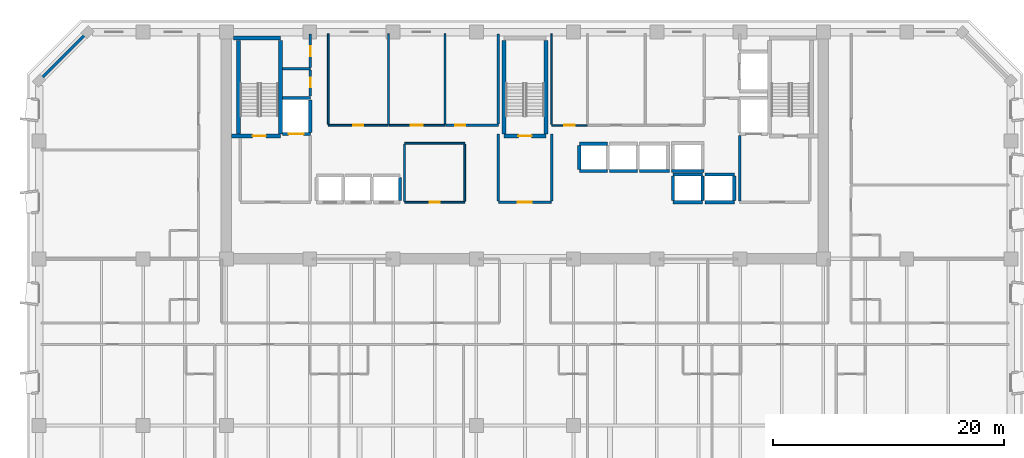
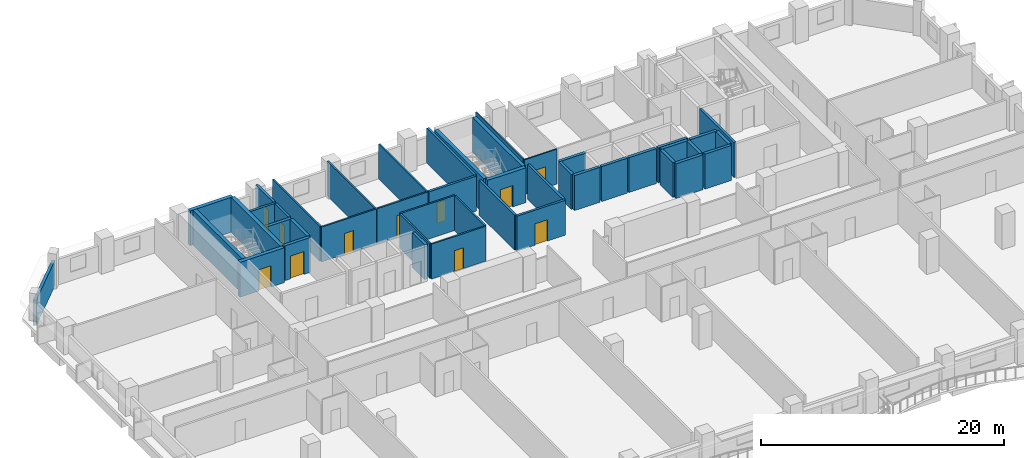
# One storey, part 7 of 15: 45 walls, 11 doors, 11 openings.
"""IFC4 building model written with IfcOpenShell, lengths in metres."""

from ifc_helpers import new_model, si_unit, direction, frame, frame_2d, origin, place, context, subcontext, project, spatial, rectangle, extrude, material, layer, layer_set, type_object, element, fill, save


model = new_model("IFC4")

# Units and contexts
model_context = context("Model", 3, precision=1e-05, world=origin(), true_north=direction((0.0, 1.0)))
body_context = subcontext(model_context, "Body", "Model", "MODEL_VIEW")
ifc_project = project(units=[si_unit("LENGTHUNIT", "METRE"), si_unit("AREAUNIT", "SQUARE_METRE"), si_unit("VOLUMEUNIT", "CUBIC_METRE"), si_unit("PLANEANGLEUNIT", "RADIAN"), si_unit("MASSUNIT", "GRAM", prefix="KILO")], contexts=[model_context])

# Site, building, storey
site_placement = place(None, origin())
site = spatial("IfcSite", under=ifc_project, at=site_placement, CompositionType="ELEMENT")
building_placement = place(site_placement, origin())
building = spatial("IfcBuilding", under=site, at=building_placement, Name="Kaelvorn Grand Hotel", CompositionType="ELEMENT")
storey_placement = place(building_placement, frame((0.0, 0.0, 104.300048828125)))
storey = spatial("IfcBuildingStorey", under=building, at=storey_placement, Name="L24", CompositionType="ELEMENT", Elevation=104.300048828125)

# Wall
ifc_material_1 = material(Name="Concrete C40/50", Category="concrete")
ifc_layer_1 = layer(ifc_material_1, 0.260009765625)
ifc_layer_set_1 = layer_set([ifc_layer_1], Name="Concrete C40/50")
wall_type_1 = type_object("IfcWallType", Name="WL-EXT-260-C40", PredefinedType="SOLIDWALL", material=ifc_layer_set_1)
wall_1_placement = place(storey_placement, frame((4.199951171875, 49.0, 0.0), z_axis=(0.0, 0.0, 1.0), x_axis=(-0.707106781187, -0.707106781187, 0.0)))
element("IfcWall", 1, at=wall_1_placement, inside=storey, type_object=wall_type_1, Name="L24 Exterior Architectural Concrete Wall 06", PredefinedType="SOLIDWALL", context=body_context, shape_type="SweptSolid", body=[
    extrude(rectangle(XDim=5.939697265625, YDim=0.260009765625, at=frame_2d((2.9697265625, 0.0))), origin(), (0.0, 0.0, 1.0), 2.56005859375),
])

# Wall, opening, door
ifc_material_2 = material(Name="Moisture-Resistant Tile & Stud Board")
ifc_layer_2 = layer(ifc_material_2, 0.125)
ifc_layer_set_2 = layer_set([ifc_layer_2], Name="Moisture-Resistant Tile & Stud Board")
wall_type_2 = type_object("IfcWallType", Name="WL-PART-125-WET", PredefinedType="PARTITIONING", material=ifc_layer_set_2)
wall_2_placement = place(storey_placement, frame((44.300048828125, 40.949951171875, 0.0), z_axis=(0.0, 0.0, 1.0), x_axis=(1.0, 0.0, 0.0)))
wall_2 = element("IfcWall", 2, at=wall_2_placement, inside=storey, type_object=wall_type_2, Name="L24 Accessible WC S Partition", PredefinedType="PARTITIONING", context=body_context, shape_type="SweptSolid", body=[
    extrude(rectangle(XDim=3.099853515625, YDim=0.125, at=frame_2d((1.5498046875, 0.0))), origin(), (0.0, 0.0, 1.0), 3.510009765625),
])
opening_1_placement = place(wall_2_placement, frame((1.10009765625, 0.0, 0.0)))
opening_1 = element("IfcOpeningElement", 3, at=opening_1_placement, cuts=wall_2, Name="Opening DI4", PredefinedType="OPENING", context=body_context, shape_type="SweptSolid", body=[
    extrude(rectangle(XDim=0.89990234375, YDim=2.10009765625, at=frame_2d((0.449951171875, 1.050048828125))), frame((0.0, 0.072509765625, 0.0), z_axis=(0.0, -1.0, 0.0), x_axis=(1.0, 0.0, 0.0)), (0.0, 0.0, 1.0), 0.14501953125),
])
ifc_material_3 = material(Name="Timber Veneer Leaf", Category="wood")
door_type_1 = type_object("IfcDoorType", Name="DR-INT-BATH-900x2100", OperationType="NOTDEFINED", PredefinedType="DOOR", material=ifc_material_3)
door_1_placement = place(opening_1_placement, origin())
door_1 = element("IfcDoor", 4, at=door_1_placement, inside=storey, type_object=door_type_1, Name="L24 Accessible WC Door", OperationType="SINGLE_SWING_LEFT", OverallHeight=2.10009765625, OverallWidth=0.89990234375, PredefinedType="DOOR", context=body_context, shape_type="SweptSolid", body=[
    extrude(rectangle(XDim=0.89990234375, YDim=2.10009765625, at=frame_2d((0.449951171875, 1.050048828125))), frame((0.0, 0.02490234375, 0.0), z_axis=(0.0, -1.0, 0.0), x_axis=(1.0, 0.0, 0.0)), (0.0, 0.0, 1.0), 0.050048828125),
])
fill(opening_1, door_1)

# Wall
wall_3_placement = place(storey_placement, frame((44.300048828125, 41.017578125, 0.0), z_axis=(0.0, 0.0, 1.0), x_axis=(0.0, 1.0, 0.0)))
element("IfcWall", 5, at=wall_3_placement, inside=storey, type_object=wall_type_2, Name="L24 Accessible WC W Partition", PredefinedType="PARTITIONING", context=body_context, shape_type="SweptSolid", body=[
    extrude(rectangle(XDim=7.83251953125, YDim=0.125, at=frame_2d((3.916259765625, 0.0))), origin(), (0.0, 0.0, 1.0), 3.510009765625),
])

# Wall, opening, door
ifc_material_4 = material(Name="Acoustic Gypsum & Stud Partition")
ifc_layer_3 = layer(ifc_material_4, 0.14990234375)
ifc_layer_set_3 = layer_set([ifc_layer_3], Name="Acoustic Gypsum & Stud Partition")
wall_type_3 = type_object("IfcWallType", Name="WL-PART-150-EI60", PredefinedType="PARTITIONING", material=ifc_layer_set_3)
wall_4_placement = place(storey_placement, frame((31.60009765625, 34.300048828125, 0.0), z_axis=(0.0, 0.0, 1.0), x_axis=(1.0, 0.0, 0.0)))
wall_4 = element("IfcWall", 6, at=wall_4_placement, inside=storey, type_object=wall_type_3, Name="L24 Core Telecoms & BMS Server Room S Partition", PredefinedType="PARTITIONING", context=body_context, shape_type="SweptSolid", body=[
    extrude(rectangle(XDim=5.199951171875, YDim=0.14990234375, at=frame_2d((2.60009765625, 0.0))), origin(), (0.0, 0.0, 1.0), 3.510009765625),
])
opening_2_placement = place(wall_4_placement, frame((2.175048828125, 0.0, 0.0)))
opening_2 = element("IfcOpeningElement", 7, at=opening_2_placement, cuts=wall_4, Name="Opening DI7", PredefinedType="OPENING", context=body_context, shape_type="SweptSolid", body=[
    extrude(rectangle(XDim=0.85009765625, YDim=2.10009765625, at=frame_2d((0.425048828125, 1.050048828125))), frame((0.0, 0.0849609375, 0.0), z_axis=(0.0, -1.0, 0.0), x_axis=(1.0, 0.0, 0.0)), (0.0, 0.0, 1.0), 0.169921875),
])
ifc_material_5 = material(Name="Powder-Coated Steel Leaf", Category="steel")
door_type_2 = type_object("IfcDoorType", Name="DR-INT-RISER-850x2100", OperationType="NOTDEFINED", PredefinedType="DOOR", material=ifc_material_5)
door_2_placement = place(opening_2_placement, origin())
door_2 = element("IfcDoor", 8, at=door_2_placement, inside=storey, type_object=door_type_2, Name="L24 Core Telecoms & BMS Server Room Door", OperationType="SINGLE_SWING_LEFT", OverallHeight=2.10009765625, OverallWidth=0.85009765625, PredefinedType="DOOR", context=body_context, shape_type="SweptSolid", body=[
    extrude(rectangle(XDim=0.85009765625, YDim=2.10009765625, at=frame_2d((0.425048828125, 1.050048828125))), frame((0.0, 0.02490234375, 0.0), z_axis=(0.0, -1.0, 0.0), x_axis=(1.0, 0.0, 0.0)), (0.0, 0.0, 1.0), 0.050048828125),
])
fill(opening_2, door_2)

# Walls
wall_5_placement = place(storey_placement, frame((31.60009765625, 39.39990234375, 0.0), z_axis=(0.0, 0.0, 1.0), x_axis=(1.0, 0.0, 0.0)))
element("IfcWall", 9, at=wall_5_placement, inside=storey, type_object=wall_type_3, Name="L24 Core Telecoms & BMS Server Room N Partition", PredefinedType="PARTITIONING", context=body_context, shape_type="SweptSolid", body=[
    extrude(rectangle(XDim=5.199951171875, YDim=0.14990234375, at=frame_2d((2.60009765625, 0.0))), origin(), (0.0, 0.0, 1.0), 3.510009765625),
])
for number, where, z_axis, x_axis, name in (
    (10, (31.60009765625, 34.3798828125, 0.0), (0.0, 0.0, 1.0), (0.0, 1.0, 0.0), "L24 Core Telecoms & BMS Server Room W Partition"),
    (11, (36.800048828125, 34.3798828125, 0.0), (0.0, 0.0, 1.0), (0.0, 1.0, 0.0), "L24 Core Telecoms & BMS Server Room E Partition"),
):
    element("IfcWall", number, at=place(storey_placement, frame(where, z_axis=z_axis, x_axis=x_axis)), inside=storey, type_object=wall_type_3, Name=name, PredefinedType="PARTITIONING", context=body_context, shape_type="SweptSolid", body=[
        extrude(rectangle(XDim=4.940185546875, YDim=0.14990234375, at=frame_2d((2.47021484375, 0.0))), origin(), (0.0, 0.0, 1.0), 3.510009765625),
    ])

# Wall, opening, door
wall_6_placement = place(storey_placement, frame((25.0, 40.949951171875, 0.0), z_axis=(0.0, 0.0, 1.0), x_axis=(1.0, 0.0, 0.0)))
wall_6 = element("IfcWall", 12, at=wall_6_placement, inside=storey, type_object=wall_type_3, Name="L24 Housekeeping & Linen Room S Partition", PredefinedType="PARTITIONING", context=body_context, shape_type="SweptSolid", body=[
    extrude(rectangle(XDim=5.199951171875, YDim=0.14990234375, at=frame_2d((2.60009765625, 0.0))), origin(), (0.0, 0.0, 1.0), 3.510009765625),
])
opening_3_placement = place(wall_6_placement, frame((2.175048828125, 0.0, 0.0)))
opening_3 = element("IfcOpeningElement", 13, at=opening_3_placement, cuts=wall_6, Name="Opening DI7", PredefinedType="OPENING", context=body_context, shape_type="SweptSolid", body=[
    extrude(rectangle(XDim=0.85009765625, YDim=2.10009765625, at=frame_2d((0.425048828125, 1.050048828125))), frame((0.0, 0.0849609375, 0.0), z_axis=(0.0, -1.0, 0.0), x_axis=(1.0, 0.0, 0.0)), (0.0, 0.0, 1.0), 0.169921875),
])
door_3_placement = place(opening_3_placement, origin())
door_3 = element("IfcDoor", 14, at=door_3_placement, inside=storey, type_object=door_type_2, Name="L24 Housekeeping & Linen Room Door", OperationType="SINGLE_SWING_RIGHT", OverallHeight=2.10009765625, OverallWidth=0.85009765625, PredefinedType="DOOR", context=body_context, shape_type="SweptSolid", body=[
    extrude(rectangle(XDim=0.85009765625, YDim=2.10009765625, at=frame_2d((0.425048828125, 1.050048828125))), frame((0.0, 0.02490234375, 0.0), z_axis=(0.0, -1.0, 0.0), x_axis=(1.0, 0.0, 0.0)), (0.0, 0.0, 1.0), 0.050048828125),
])
fill(opening_3, door_3)

# Walls
for number, where, z_axis, x_axis, name in (
    (15, (25.0, 41.030029296875, 0.0), (0.0, 0.0, 1.0), (0.0, 1.0, 0.0), "L24 Housekeeping & Linen Room W Partition"),
    (16, (30.199951171875, 41.030029296875, 0.0), (0.0, 0.0, 1.0), (0.0, 1.0, 0.0), "L24 Housekeeping & Linen Room E Partition"),
):
    element("IfcWall", number, at=place(storey_placement, frame(where, z_axis=z_axis, x_axis=x_axis)), inside=storey, type_object=wall_type_3, Name=name, PredefinedType="PARTITIONING", context=body_context, shape_type="SweptSolid", body=[
        extrude(rectangle(XDim=7.820068359375, YDim=0.14990234375, at=frame_2d((3.91015625, 0.0))), origin(), (0.0, 0.0, 1.0), 3.510009765625),
    ])

# Wall, opening, door
wall_7_placement = place(storey_placement, frame((30.280029296875, 40.949951171875, 0.0), z_axis=(0.0, 0.0, 1.0), x_axis=(1.0, 0.0, 0.0)))
wall_7 = element("IfcWall", 17, at=wall_7_placement, inside=storey, type_object=wall_type_3, Name="L24 Room Service Servery Pantry S Partition", PredefinedType="PARTITIONING", context=body_context, shape_type="SweptSolid", body=[
    extrude(rectangle(XDim=4.820068359375, YDim=0.14990234375, at=frame_2d((2.41015625, 0.0))), origin(), (0.0, 0.0, 1.0), 3.510009765625),
])
opening_4_placement = place(wall_7_placement, frame((1.8701171875, 0.0, 0.0)))
opening_4 = element("IfcOpeningElement", 18, at=opening_4_placement, cuts=wall_7, Name="Opening DI3", PredefinedType="OPENING", context=body_context, shape_type="SweptSolid", body=[
    extrude(rectangle(XDim=1.0, YDim=2.14990234375, at=frame_2d((0.5, 1.074951171875))), frame((0.0, 0.0849609375, 0.0), z_axis=(0.0, -1.0, 0.0), x_axis=(1.0, 0.0, 0.0)), (0.0, 0.0, 1.0), 0.169921875),
])
ifc_material_6 = material(Name="Timber Veneer Fire Leaf", Category="wood")
door_type_3 = type_object("IfcDoorType", Name="DR-INT-GUEST-1000x2150", OperationType="NOTDEFINED", PredefinedType="DOOR", material=ifc_material_6)
door_4_placement = place(opening_4_placement, origin())
door_4 = element("IfcDoor", 19, at=door_4_placement, inside=storey, type_object=door_type_3, Name="L24 Room Service Servery Pantry Door", OperationType="SINGLE_SWING_LEFT", OverallHeight=2.14990234375, OverallWidth=1.0, PredefinedType="DOOR", context=body_context, shape_type="SweptSolid", body=[
    extrude(rectangle(XDim=1.0, YDim=2.14990234375, at=frame_2d((0.5, 1.074951171875))), frame((0.0, 0.02490234375, 0.0), z_axis=(0.0, -1.0, 0.0), x_axis=(1.0, 0.0, 0.0)), (0.0, 0.0, 1.0), 0.050048828125),
])
fill(opening_4, door_4)

# Walls
wall_8_placement = place(storey_placement, frame((35.10009765625, 41.030029296875, 0.0), z_axis=(0.0, 0.0, 1.0), x_axis=(0.0, 1.0, 0.0)))
element("IfcWall", 20, at=wall_8_placement, inside=storey, type_object=wall_type_3, Name="L24 Room Service Servery Pantry E Partition", PredefinedType="PARTITIONING", context=body_context, shape_type="SweptSolid", body=[
    extrude(rectangle(XDim=7.820068359375, YDim=0.14990234375, at=frame_2d((3.91015625, 0.0))), origin(), (0.0, 0.0, 1.0), 3.510009765625),
])
ifc_layer_4 = layer(ifc_material_1, 0.219970703125)
ifc_layer_set_4 = layer_set([ifc_layer_4], Name="Concrete C40/50")
wall_type_4 = type_object("IfcWallType", Name="WL-PART-220-EI120", PredefinedType="PARTITIONING", material=ifc_layer_set_4)
wall_9_placement = place(storey_placement, frame((60.550048828125, 34.4150390625, 0.0), z_axis=(0.0, 0.0, 1.0), x_axis=(0.0, 1.0, 0.0)))
element("IfcWall", 21, at=wall_9_placement, inside=storey, type_object=wall_type_4, Name="L24 Firefighting Lift Lobby 2 W Partition", PredefinedType="PARTITIONING", context=body_context, shape_type="SweptSolid", body=[
    extrude(rectangle(XDim=5.639892578125, YDim=0.219970703125, at=frame_2d((2.81982421875, 0.0))), origin(), (0.0, 0.0, 1.0), 3.510009765625),
])

# Wall, opening, door
wall_10_placement = place(storey_placement, frame((39.699951171875, 34.300048828125, 0.0), z_axis=(0.0, 0.0, 1.0), x_axis=(1.0, 0.0, 0.0)))
wall_10 = element("IfcWall", 22, at=wall_10_placement, inside=storey, type_object=wall_type_4, Name="L24 Central Stair Escape Vestibule S Partition", PredefinedType="PARTITIONING", context=body_context, shape_type="SweptSolid", body=[
    extrude(rectangle(XDim=4.60009765625, YDim=0.219970703125, at=frame_2d((2.300048828125, 0.0))), origin(), (0.0, 0.0, 1.0), 3.510009765625),
])
opening_5_placement = place(wall_10_placement, frame((1.699951171875, 0.0, 0.0)))
opening_5 = element("IfcOpeningElement", 23, at=opening_5_placement, cuts=wall_10, Name="Opening DI2", PredefinedType="OPENING", context=body_context, shape_type="SweptSolid", body=[
    extrude(rectangle(XDim=1.199951171875, YDim=2.14990234375, at=frame_2d((0.60009765625, 1.074951171875))), frame((0.0, 0.1201171875, 0.0), z_axis=(0.0, -1.0, 0.0), x_axis=(1.0, 0.0, 0.0)), (0.0, 0.0, 1.0), 0.239990234375),
])
door_type_4 = type_object("IfcDoorType", Name="DR-INT-FFLOB-1200x2150", OperationType="NOTDEFINED", PredefinedType="DOOR", material=ifc_material_6)
door_5_placement = place(opening_5_placement, origin())
door_5 = element("IfcDoor", 24, at=door_5_placement, inside=storey, type_object=door_type_4, Name="L24 Central Stair Escape Vestibule Door", OperationType="SINGLE_SWING_LEFT", OverallHeight=2.14990234375, OverallWidth=1.199951171875, PredefinedType="DOOR", context=body_context, shape_type="SweptSolid", body=[
    extrude(rectangle(XDim=1.199951171875, YDim=2.14990234375, at=frame_2d((0.60009765625, 1.074951171875))), frame((0.0, 0.02490234375, 0.0), z_axis=(0.0, -1.0, 0.0), x_axis=(1.0, 0.0, 0.0)), (0.0, 0.0, 1.0), 0.050048828125),
])
fill(opening_5, door_5)

# Walls
for number, where, z_axis, x_axis, name in (
    (25, (39.699951171875, 34.4150390625, 0.0), (0.0, 0.0, 1.0), (0.0, 1.0, 0.0), "L24 Central Stair Escape Vestibule W Partition"),
    (26, (44.300048828125, 34.4150390625, 0.0), (0.0, 0.0, 1.0), (0.0, 1.0, 0.0), "L24 Central Stair Escape Vestibule E Partition"),
):
    element("IfcWall", number, at=place(storey_placement, frame(where, z_axis=z_axis, x_axis=x_axis)), inside=storey, type_object=wall_type_4, Name=name, PredefinedType="PARTITIONING", context=body_context, shape_type="SweptSolid", body=[
        extrude(rectangle(XDim=5.784912109375, YDim=0.219970703125, at=frame_2d((2.892578125, 0.0))), origin(), (0.0, 0.0, 1.0), 3.510009765625),
    ])
wall_11_placement = place(storey_placement, frame((21.034912109375, 45.85009765625, 0.0), z_axis=(0.0, 0.0, 1.0), x_axis=(1.0, 0.0, 0.0)))
element("IfcWall", 27, at=wall_11_placement, inside=storey, type_object=wall_type_4, Name="L24 Wet Fire & Plumbing Riser Shaft N Partition", PredefinedType="PARTITIONING", context=body_context, shape_type="SweptSolid", body=[
    extrude(rectangle(XDim=2.4150390625, YDim=0.219970703125, at=frame_2d((1.20751953125, 0.0))), origin(), (0.0, 0.0, 1.0), 3.510009765625),
])

# Wall, opening, door
wall_12_placement = place(storey_placement, frame((23.449951171875, 43.5, 0.0), z_axis=(0.0, 0.0, 1.0), x_axis=(0.0, 1.0, 0.0)))
wall_12 = element("IfcWall", 28, at=wall_12_placement, inside=storey, type_object=wall_type_4, Name="L24 Wet Fire & Plumbing Riser Shaft E Partition", PredefinedType="PARTITIONING", context=body_context, shape_type="SweptSolid", body=[
    extrude(rectangle(XDim=2.235107421875, YDim=0.219970703125, at=frame_2d((1.11767578125, 0.0))), origin(), (0.0, 0.0, 1.0), 3.510009765625),
])
opening_6_placement = place(wall_12_placement, frame((0.72509765625, 0.0, 0.0)))
opening_6 = element("IfcOpeningElement", 29, at=opening_6_placement, cuts=wall_12, Name="Opening DI7", PredefinedType="OPENING", context=body_context, shape_type="SweptSolid", body=[
    extrude(rectangle(XDim=0.85009765625, YDim=2.10009765625, at=frame_2d((0.425048828125, 1.050048828125))), frame((0.0, 0.1201171875, 0.0), z_axis=(0.0, -1.0, 0.0), x_axis=(1.0, 0.0, 0.0)), (0.0, 0.0, 1.0), 0.239990234375),
])
door_6_placement = place(opening_6_placement, origin())
door_6 = element("IfcDoor", 30, at=door_6_placement, inside=storey, type_object=door_type_2, Name="L24 Wet Fire & Plumbing Riser Shaft Door", OperationType="SINGLE_SWING_LEFT", OverallHeight=2.10009765625, OverallWidth=0.85009765625, PredefinedType="DOOR", context=body_context, shape_type="SweptSolid", body=[
    extrude(rectangle(XDim=0.85009765625, YDim=2.10009765625, at=frame_2d((0.425048828125, 1.050048828125))), frame((0.0, 0.02490234375, 0.0), z_axis=(0.0, -1.0, 0.0), x_axis=(1.0, 0.0, 0.0)), (0.0, 0.0, 1.0), 0.050048828125),
])
fill(opening_6, door_6)

wall_13_placement = place(storey_placement, frame((23.449951171875, 45.965087890625, 0.0), z_axis=(0.0, 0.0, 1.0), x_axis=(0.0, 1.0, 0.0)))
wall_13 = element("IfcWall", 31, at=wall_13_placement, inside=storey, type_object=wall_type_4, Name="L24 HV Electrical & Smoke Riser E Partition", PredefinedType="PARTITIONING", context=body_context, shape_type="SweptSolid", body=[
    extrude(rectangle(XDim=2.885009765625, YDim=0.219970703125, at=frame_2d((1.4423828125, 0.0))), origin(), (0.0, 0.0, 1.0), 3.510009765625),
])
opening_7_placement = place(wall_13_placement, frame((0.9599609375, 0.0, 0.0)))
opening_7 = element("IfcOpeningElement", 32, at=opening_7_placement, cuts=wall_13, Name="Opening DI7", PredefinedType="OPENING", context=body_context, shape_type="SweptSolid", body=[
    extrude(rectangle(XDim=0.85009765625, YDim=2.10009765625, at=frame_2d((0.425048828125, 1.050048828125))), frame((0.0, 0.1201171875, 0.0), z_axis=(0.0, -1.0, 0.0), x_axis=(1.0, 0.0, 0.0)), (0.0, 0.0, 1.0), 0.239990234375),
])
door_7_placement = place(opening_7_placement, origin())
door_7 = element("IfcDoor", 33, at=door_7_placement, inside=storey, type_object=door_type_2, Name="L24 HV Electrical & Smoke Riser Door", OperationType="SINGLE_SWING_RIGHT", OverallHeight=2.10009765625, OverallWidth=0.85009765625, PredefinedType="DOOR", context=body_context, shape_type="SweptSolid", body=[
    extrude(rectangle(XDim=0.85009765625, YDim=2.10009765625, at=frame_2d((0.425048828125, 1.050048828125))), frame((0.0, 0.02490234375, 0.0), z_axis=(0.0, -1.0, 0.0), x_axis=(1.0, 0.0, 0.0)), (0.0, 0.0, 1.0), 0.050048828125),
])
fill(opening_7, door_7)

wall_14_placement = place(storey_placement, frame((35.179931640625, 40.949951171875, 0.0), z_axis=(0.0, 0.0, 1.0), x_axis=(1.0, 0.0, 0.0)))
wall_14 = element("IfcWall", 34, at=wall_14_placement, inside=storey, type_object=wall_type_4, Name="L24 Floor Electrical Switchroom S Partition", PredefinedType="PARTITIONING", context=body_context, shape_type="SweptSolid", body=[
    extrude(rectangle(XDim=4.52001953125, YDim=0.219970703125, at=frame_2d((2.260009765625, 0.0))), origin(), (0.0, 0.0, 1.0), 3.510009765625),
])
opening_8_placement = place(wall_14_placement, frame((0.794921875, 0.0, 0.0)))
opening_8 = element("IfcOpeningElement", 35, at=opening_8_placement, cuts=wall_14, Name="Opening DI7", PredefinedType="OPENING", context=body_context, shape_type="SweptSolid", body=[
    extrude(rectangle(XDim=0.85009765625, YDim=2.10009765625, at=frame_2d((0.425048828125, 1.050048828125))), frame((0.0, 0.1201171875, 0.0), z_axis=(0.0, -1.0, 0.0), x_axis=(1.0, 0.0, 0.0)), (0.0, 0.0, 1.0), 0.239990234375),
])
door_8_placement = place(opening_8_placement, origin())
door_8 = element("IfcDoor", 36, at=door_8_placement, inside=storey, type_object=door_type_2, Name="L24 Floor Electrical Switchroom Door", OperationType="SINGLE_SWING_RIGHT", OverallHeight=2.10009765625, OverallWidth=0.85009765625, PredefinedType="DOOR", context=body_context, shape_type="SweptSolid", body=[
    extrude(rectangle(XDim=0.85009765625, YDim=2.10009765625, at=frame_2d((0.425048828125, 1.050048828125))), frame((0.0, 0.02490234375, 0.0), z_axis=(0.0, -1.0, 0.0), x_axis=(1.0, 0.0, 0.0)), (0.0, 0.0, 1.0), 0.050048828125),
])
fill(opening_8, door_8)

# Walls
wall_15_placement = place(storey_placement, frame((39.699951171875, 41.06494140625, 0.0), z_axis=(0.0, 0.0, 1.0), x_axis=(0.0, 1.0, 0.0)))
element("IfcWall", 37, at=wall_15_placement, inside=storey, type_object=wall_type_4, Name="L24 Floor Electrical Switchroom E Partition", PredefinedType="PARTITIONING", context=body_context, shape_type="SweptSolid", body=[
    extrude(rectangle(XDim=7.78515625, YDim=0.219970703125, at=frame_2d((3.892578125, 0.0))), origin(), (0.0, 0.0, 1.0), 3.510009765625),
])
ifc_material_7 = material(Name="Concrete C50/60", Category="concrete")
ifc_layer_5 = layer(ifc_material_7, 0.280029296875)
ifc_layer_set_5 = layer_set([ifc_layer_5], Name="Concrete C50/60")
wall_type_5 = type_object("IfcWallType", Name="WL-SHAFT-280-C50", PredefinedType="SHEAR", material=ifc_layer_set_5)
wall_16_placement = place(storey_placement, frame((31.199951171875, 34.445068359375, 0.0), z_axis=(0.0, 0.0, 1.0), x_axis=(0.0, 1.0, 0.0)))
element("IfcWall", 38, at=wall_16_placement, inside=storey, type_object=wall_type_5, Name="L24 Lift PL-L3 Shaft East Wall", PredefinedType="SHEAR", context=body_context, shape_type="SweptSolid", body=[
    extrude(rectangle(XDim=2.010009765625, YDim=0.280029296875, at=frame_2d((1.0048828125, 0.0))), origin(), (0.0, 0.0, 1.0), 3.510009765625),
])
for number, where, z_axis, x_axis, name in (
    (39, (46.699951171875, 37.0, 0.0), (0.0, 0.0, 1.0), (1.0, 0.0, 0.0), "L24 Lift SL-1 Shaft South Wall"),
    (40, (46.699951171875, 39.35009765625, 0.0), (0.0, 0.0, 1.0), (1.0, 0.0, 0.0), "L24 Lift SL-1 Shaft North Wall"),
):
    element("IfcWall", number, at=place(storey_placement, frame(where, z_axis=z_axis, x_axis=x_axis)), inside=storey, type_object=wall_type_5, Name=name, PredefinedType="SHEAR", context=body_context, shape_type="SweptSolid", body=[
        extrude(rectangle(XDim=2.449951171875, YDim=0.280029296875, at=frame_2d((1.22509765625, 0.0))), origin(), (0.0, 0.0, 1.0), 3.510009765625),
    ])
wall_17_placement = place(storey_placement, frame((46.699951171875, 37.14501953125, 0.0), z_axis=(0.0, 0.0, 1.0), x_axis=(0.0, 1.0, 0.0)))
element("IfcWall", 41, at=wall_17_placement, inside=storey, type_object=wall_type_5, Name="L24 Lift SL-1 Shaft West Wall", PredefinedType="SHEAR", context=body_context, shape_type="SweptSolid", body=[
    extrude(rectangle(XDim=2.06005859375, YDim=0.280029296875, at=frame_2d((1.030029296875, 0.0))), origin(), (0.0, 0.0, 1.0), 3.510009765625),
])
wall_18_placement = place(storey_placement, frame((49.300048828125, 37.0, 0.0), z_axis=(0.0, 0.0, 1.0), x_axis=(1.0, 0.0, 0.0)))
element("IfcWall", 42, at=wall_18_placement, inside=storey, type_object=wall_type_5, Name="L24 Lift SL-2 Shaft South Wall", PredefinedType="SHEAR", context=body_context, shape_type="SweptSolid", body=[
    extrude(rectangle(XDim=2.449951171875, YDim=0.280029296875, at=frame_2d((1.22509765625, 0.0))), origin(), (0.0, 0.0, 1.0), 3.510009765625),
])
wall_19_placement = place(storey_placement, frame((51.89990234375, 37.0, 0.0), z_axis=(0.0, 0.0, 1.0), x_axis=(1.0, 0.0, 0.0)))
element("IfcWall", 43, at=wall_19_placement, inside=storey, type_object=wall_type_5, Name="L24 Lift SL-3 Shaft South Wall", PredefinedType="SHEAR", context=body_context, shape_type="SweptSolid", body=[
    extrude(rectangle(XDim=2.590087890625, YDim=0.280029296875, at=frame_2d((1.294921875, 0.0))), origin(), (0.0, 0.0, 1.0), 3.510009765625),
])
for number, where, z_axis, x_axis, name in (
    (44, (54.800048828125, 34.300048828125, 0.0), (0.0, 0.0, 1.0), (1.0, 0.0, 0.0), "L24 Lift OL-1 Shaft South Wall"),
    (45, (54.800048828125, 36.699951171875, 0.0), (0.0, 0.0, 1.0), (1.0, 0.0, 0.0), "L24 Lift OL-1 Shaft North Wall"),
):
    element("IfcWall", number, at=place(storey_placement, frame(where, z_axis=z_axis, x_axis=x_axis)), inside=storey, type_object=wall_type_5, Name=name, PredefinedType="SHEAR", context=body_context, shape_type="SweptSolid", body=[
        extrude(rectangle(XDim=2.550048828125, YDim=0.280029296875, at=frame_2d((1.27490234375, 0.0))), origin(), (0.0, 0.0, 1.0), 3.510009765625),
    ])
for number, where, z_axis, x_axis, name in (
    (46, (54.800048828125, 34.445068359375, 0.0), (0.0, 0.0, 1.0), (0.0, 1.0, 0.0), "L24 Lift OL-1 Shaft West Wall"),
    (47, (57.35009765625, 34.445068359375, 0.0), (0.0, 0.0, 1.0), (0.0, 1.0, 0.0), "L24 Lift OL-1 Shaft East Wall"),
):
    element("IfcWall", number, at=place(storey_placement, frame(where, z_axis=z_axis, x_axis=x_axis)), inside=storey, type_object=wall_type_5, Name=name, PredefinedType="SHEAR", context=body_context, shape_type="SweptSolid", body=[
        extrude(rectangle(XDim=2.10986328125, YDim=0.280029296875, at=frame_2d((1.054931640625, 0.0))), origin(), (0.0, 0.0, 1.0), 3.510009765625),
    ])
for number, where, z_axis, x_axis, name in (
    (48, (57.550048828125, 34.300048828125, 0.0), (0.0, 0.0, 1.0), (1.0, 0.0, 0.0), "L24 Lift OL-2 Shaft South Wall"),
    (49, (57.550048828125, 36.699951171875, 0.0), (0.0, 0.0, 1.0), (1.0, 0.0, 0.0), "L24 Lift OL-2 Shaft North Wall"),
):
    element("IfcWall", number, at=place(storey_placement, frame(where, z_axis=z_axis, x_axis=x_axis)), inside=storey, type_object=wall_type_5, Name=name, PredefinedType="SHEAR", context=body_context, shape_type="SweptSolid", body=[
        extrude(rectangle(XDim=2.550048828125, YDim=0.280029296875, at=frame_2d((1.27490234375, 0.0))), origin(), (0.0, 0.0, 1.0), 3.510009765625),
    ])
wall_20_placement = place(storey_placement, frame((60.10009765625, 34.445068359375, 0.0), z_axis=(0.0, 0.0, 1.0), x_axis=(0.0, 1.0, 0.0)))
element("IfcWall", 50, at=wall_20_placement, inside=storey, type_object=wall_type_5, Name="L24 Lift OL-2 Shaft East Wall", PredefinedType="SHEAR", context=body_context, shape_type="SweptSolid", body=[
    extrude(rectangle(XDim=2.10986328125, YDim=0.280029296875, at=frame_2d((1.054931640625, 0.0))), origin(), (0.0, 0.0, 1.0), 3.510009765625),
])
wall_21_placement = place(storey_placement, frame((54.659912109375, 37.0, 0.0), z_axis=(0.0, 0.0, 1.0), x_axis=(1.0, 0.0, 0.0)))
element("IfcWall", 51, at=wall_21_placement, inside=storey, type_object=wall_type_5, Name="L24 Lift OL-3 Shaft South Wall", PredefinedType="SHEAR", context=body_context, shape_type="SweptSolid", body=[
    extrude(rectangle(XDim=2.830078125, YDim=0.280029296875, at=frame_2d((1.4150390625, 0.0))), origin(), (0.0, 0.0, 1.0), 3.510009765625),
])

# Wall, opening, door
wall_22_placement = place(storey_placement, frame((21.034912109375, 40.199951171875, 0.0), z_axis=(0.0, 0.0, 1.0), x_axis=(1.0, 0.0, 0.0)))
wall_22 = element("IfcWall", 52, at=wall_22_placement, inside=storey, type_object=wall_type_5, Name="L24 Lift FFL1 Shaft South Wall", PredefinedType="SHEAR", context=body_context, shape_type="SweptSolid", body=[
    extrude(rectangle(XDim=2.4150390625, YDim=0.280029296875, at=frame_2d((1.20751953125, 0.0))), origin(), (0.0, 0.0, 1.0), 3.510009765625),
])
opening_9_placement = place(wall_22_placement, frame((0.5400390625, 0.0, 0.0)))
opening_9 = element("IfcOpeningElement", 53, at=opening_9_placement, cuts=wall_22, Name="Opening LD-FFL1", PredefinedType="OPENING", context=body_context, shape_type="SweptSolid", body=[
    extrude(rectangle(XDim=1.300048828125, YDim=2.300048828125, at=frame_2d((0.64990234375, 1.14990234375))), frame((0.0, 0.14990234375, 0.0), z_axis=(0.0, -1.0, 0.0), x_axis=(1.0, 0.0, 0.0)), (0.0, 0.0, 1.0), 0.300048828125),
])
ifc_material_8 = material(Name="Stainless Steel", Category="steel")
door_type_5 = type_object("IfcDoorType", Name="DR-LIFT-SERV-1300x2300", OperationType="DOUBLE_DOOR_SLIDING", PredefinedType="DOOR", material=ifc_material_8)
door_9_placement = place(opening_9_placement, origin())
door_9 = element("IfcDoor", 54, at=door_9_placement, inside=storey, type_object=door_type_5, Name="L24 Lift FFL1 Sliding Landing Door LD-FFL1", OperationType="DOUBLE_DOOR_SLIDING", OverallHeight=2.300048828125, OverallWidth=1.300048828125, PredefinedType="DOOR", context=body_context, shape_type="SweptSolid", body=[
    extrude(rectangle(XDim=1.300048828125, YDim=2.300048828125, at=frame_2d((0.64990234375, 1.14990234375))), frame((0.0, 0.02490234375, 0.0), z_axis=(0.0, -1.0, 0.0), x_axis=(1.0, 0.0, 0.0)), (0.0, 0.0, 1.0), 0.050048828125),
])
fill(opening_9, door_9)

# Walls
wall_23_placement = place(storey_placement, frame((21.034912109375, 43.300048828125, 0.0), z_axis=(0.0, 0.0, 1.0), x_axis=(1.0, 0.0, 0.0)))
element("IfcWall", 55, at=wall_23_placement, inside=storey, type_object=wall_type_5, Name="L24 Lift FFL1 Shaft North Wall", PredefinedType="SHEAR", context=body_context, shape_type="SweptSolid", body=[
    extrude(rectangle(XDim=2.4150390625, YDim=0.280029296875, at=frame_2d((1.20751953125, 0.0))), origin(), (0.0, 0.0, 1.0), 3.510009765625),
])
wall_24_placement = place(storey_placement, frame((23.449951171875, 40.344970703125, 0.0), z_axis=(0.0, 0.0, 1.0), x_axis=(0.0, 1.0, 0.0)))
element("IfcWall", 56, at=wall_24_placement, inside=storey, type_object=wall_type_5, Name="L24 Lift FFL1 Shaft East Wall", PredefinedType="SHEAR", context=body_context, shape_type="SweptSolid", body=[
    extrude(rectangle(XDim=2.81005859375, YDim=0.280029296875, at=frame_2d((1.405029296875, 0.0))), origin(), (0.0, 0.0, 1.0), 3.510009765625),
])

# Wall, opening, door
ifc_material_9 = material(Name="Concrete C60/75", Category="concrete")
ifc_layer_6 = layer(ifc_material_9, 0.35009765625)
ifc_layer_set_6 = layer_set([ifc_layer_6], Name="Concrete C60/75")
wall_type_6 = type_object("IfcWallType", Name="WL-SHAFT-350-C60", PredefinedType="SHEAR", material=ifc_layer_set_6)
wall_25_placement = place(storey_placement, frame((16.655029296875, 40.02490234375, 0.0), z_axis=(0.0, 0.0, 1.0), x_axis=(1.0, 0.0, 0.0)))
wall_25 = element("IfcWall", 57, at=wall_25_placement, inside=storey, type_object=wall_type_6, Name="L24 ST1 Stair Shaft South Wall", PredefinedType="SHEAR", context=body_context, shape_type="SweptSolid", body=[
    extrude(rectangle(XDim=4.199951171875, YDim=0.35009765625, at=frame_2d((2.10009765625, 0.0))), origin(), (0.0, 0.0, 1.0), 3.510009765625),
])
opening_10_placement = place(wall_25_placement, frame((1.81005859375, 0.0, 0.0)))
opening_10 = element("IfcOpeningElement", 58, at=opening_10_placement, cuts=wall_25, Name="Opening DI1", PredefinedType="OPENING", context=body_context, shape_type="SweptSolid", body=[
    extrude(rectangle(XDim=1.14990234375, YDim=2.14990234375, at=frame_2d((0.574951171875, 1.074951171875))), frame((0.0, 0.18505859375, 0.0), z_axis=(0.0, -1.0, 0.0), x_axis=(1.0, 0.0, 0.0)), (0.0, 0.0, 1.0), 0.3701171875),
])
door_type_6 = type_object("IfcDoorType", Name="DR-INT-STAIR-1150x2150", OperationType="NOTDEFINED", PredefinedType="DOOR", material=ifc_material_6)
door_10_placement = place(opening_10_placement, origin())
door_10 = element("IfcDoor", 59, at=door_10_placement, inside=storey, type_object=door_type_6, Name="L24 ST1 Exit Stair Fire Door", OperationType="SINGLE_SWING_RIGHT", OverallHeight=2.14990234375, OverallWidth=1.14990234375, PredefinedType="DOOR", context=body_context, shape_type="SweptSolid", body=[
    extrude(rectangle(XDim=1.14990234375, YDim=2.14990234375, at=frame_2d((0.574951171875, 1.074951171875))), frame((0.0, 0.02490234375, 0.0), z_axis=(0.0, -1.0, 0.0), x_axis=(1.0, 0.0, 0.0)), (0.0, 0.0, 1.0), 0.050048828125),
])
fill(opening_10, door_10)

# Walls
wall_26_placement = place(storey_placement, frame((16.804931640625, 48.47509765625, 0.0), z_axis=(0.0, 0.0, 1.0), x_axis=(1.0, 0.0, 0.0)))
element("IfcWall", 60, at=wall_26_placement, inside=storey, type_object=wall_type_6, Name="L24 ST1 Stair Shaft North Wall", PredefinedType="SHEAR", context=body_context, shape_type="SweptSolid", body=[
    extrude(rectangle(XDim=4.050048828125, YDim=0.35009765625, at=frame_2d((2.02490234375, 0.0))), origin(), (0.0, 0.0, 1.0), 3.510009765625),
])
for number, where, z_axis, x_axis, name in (
    (61, (17.22509765625, 40.205078125, 0.0), (0.0, 0.0, 1.0), (0.0, 1.0, 0.0), "L24 ST1 Stair Shaft West Wall"),
    (62, (20.85498046875, 40.205078125, 0.0), (0.0, 0.0, 1.0), (0.0, 1.0, 0.0), "L24 ST1 Stair Shaft East Wall"),
):
    element("IfcWall", number, at=place(storey_placement, frame(where, z_axis=z_axis, x_axis=x_axis)), inside=storey, type_object=wall_type_6, Name=name, PredefinedType="SHEAR", context=body_context, shape_type="SweptSolid", body=[
        extrude(rectangle(XDim=8.08984375, YDim=0.35009765625, at=frame_2d((4.044921875, 0.0))), origin(), (0.0, 0.0, 1.0), 3.510009765625),
    ])

# Wall, opening, door
wall_27_placement = place(storey_placement, frame((40.18505859375, 40.02490234375, 0.0), z_axis=(0.0, 0.0, 1.0), x_axis=(1.0, 0.0, 0.0)))
wall_27 = element("IfcWall", 63, at=wall_27_placement, inside=storey, type_object=wall_type_6, Name="L24 ST2 Stair Shaft South Wall", PredefinedType="SHEAR", context=body_context, shape_type="SweptSolid", body=[
    extrude(rectangle(XDim=3.6298828125, YDim=0.35009765625, at=frame_2d((1.81494140625, 0.0))), origin(), (0.0, 0.0, 1.0), 3.510009765625),
])
opening_11_placement = place(wall_27_placement, frame((1.239990234375, 0.0, 0.0)))
opening_11 = element("IfcOpeningElement", 64, at=opening_11_placement, cuts=wall_27, Name="Opening DI1", PredefinedType="OPENING", context=body_context, shape_type="SweptSolid", body=[
    extrude(rectangle(XDim=1.14990234375, YDim=2.14990234375, at=frame_2d((0.574951171875, 1.074951171875))), frame((0.0, 0.18505859375, 0.0), z_axis=(0.0, -1.0, 0.0), x_axis=(1.0, 0.0, 0.0)), (0.0, 0.0, 1.0), 0.3701171875),
])
door_11_placement = place(opening_11_placement, origin())
door_11 = element("IfcDoor", 65, at=door_11_placement, inside=storey, type_object=door_type_6, Name="L24 ST2 Exit Stair Fire Door", OperationType="SINGLE_SWING_LEFT", OverallHeight=2.14990234375, OverallWidth=1.14990234375, PredefinedType="DOOR", context=body_context, shape_type="SweptSolid", body=[
    extrude(rectangle(XDim=1.14990234375, YDim=2.14990234375, at=frame_2d((0.574951171875, 1.074951171875))), frame((0.0, 0.02490234375, 0.0), z_axis=(0.0, -1.0, 0.0), x_axis=(1.0, 0.0, 0.0)), (0.0, 0.0, 1.0), 0.050048828125),
])
fill(opening_11, door_11)

# Walls
for number, where, z_axis, x_axis, name in (
    (66, (40.18505859375, 40.205078125, 0.0), (0.0, 0.0, 1.0), (0.0, 1.0, 0.0), "L24 ST2 Stair Shaft West Wall"),
    (67, (43.81494140625, 40.205078125, 0.0), (0.0, 0.0, 1.0), (0.0, 1.0, 0.0), "L24 ST2 Stair Shaft East Wall"),
):
    element("IfcWall", number, at=place(storey_placement, frame(where, z_axis=z_axis, x_axis=x_axis)), inside=storey, type_object=wall_type_6, Name=name, PredefinedType="SHEAR", context=body_context, shape_type="SweptSolid", body=[
        extrude(rectangle(XDim=8.08984375, YDim=0.35009765625, at=frame_2d((4.044921875, 0.0))), origin(), (0.0, 0.0, 1.0), 3.510009765625),
    ])

save(model, "model.ifc")
